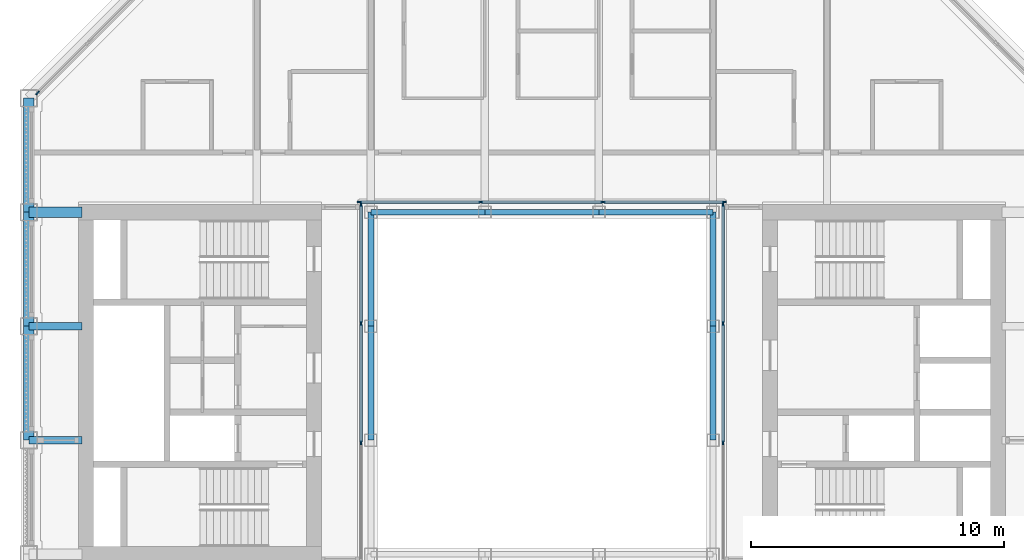
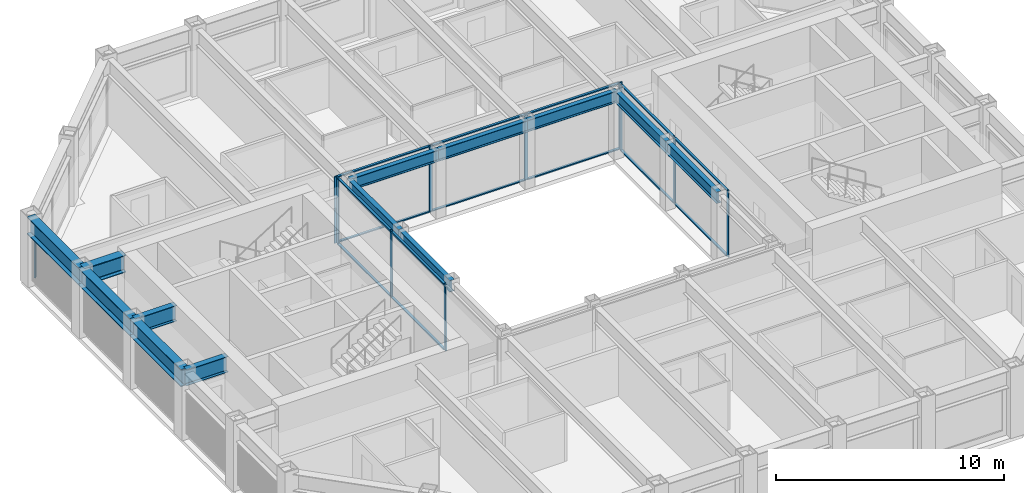
# One storey, part 4 of 17: 25 members, 13 beams, 4 elements without a shape of their own.
"""IFC4 building model written with IfcOpenShell, lengths in metres."""

from ifc_helpers import new_model, si_unit, direction, frame, origin, origin_2d, place, context, subcontext, project, spatial, rectangle, i_section, extrude, material, material_profile, profile_set, type_object, element, aggregate, save


model = new_model("IFC4")

# Units and contexts
model_context = context("Model", 3, precision=1e-05, world=origin(), true_north=direction((0.0, 1.0)))
body_context = subcontext(model_context, "Body", "Model", "MODEL_VIEW")
ifc_project = project(units=[si_unit("LENGTHUNIT", "METRE"), si_unit("AREAUNIT", "SQUARE_METRE"), si_unit("VOLUMEUNIT", "CUBIC_METRE"), si_unit("PLANEANGLEUNIT", "RADIAN"), si_unit("MASSUNIT", "GRAM", prefix="KILO")], contexts=[model_context])

# Site, building, storey
site_placement = place(None, origin())
site = spatial("IfcSite", under=ifc_project, at=site_placement, CompositionType="ELEMENT")
building_placement = place(site_placement, origin())
building = spatial("IfcBuilding", under=site, at=building_placement, Name="Msasa Ring Tower", CompositionType="ELEMENT")
storey_placement = place(building_placement, frame((0.0, 0.0, 234.550048828125)))
storey = spatial("IfcBuildingStorey", under=building, at=storey_placement, Name="L61", CompositionType="ELEMENT", Elevation=234.550048828125)

# Curtain wall, member
ifc_material_1 = material(Name="Aluminium curtain wall with clear glass", Category="aluminium")
curtain_wall_type_1 = type_object("IfcCurtainWallType", Name="CW-C CHAMFER CORNER CURTAIN WALL", PredefinedType="NOTDEFINED", material=ifc_material_1)
curtain_wall_1_placement = place(storey_placement, origin())
curtain_wall_1 = element("IfcCurtainWall", 1, at=curtain_wall_1_placement, inside=storey, type_object=curtain_wall_type_1, Name="Chamfer corner curtain wall NW L61", PredefinedType="NOTDEFINED")
ifc_material_2 = material(Name="Aluminium mullion", Category="aluminium")
ifc_material_profile_1 = material_profile(ifc_material_2, rectangle(XDim=0.06494140625, YDim=0.179931640625, at=origin_2d()), Name="AL 65x180")
ifc_profile_set_1 = profile_set([ifc_material_profile_1], Name="Aluminium mullion")
member_type_1 = type_object("IfcMemberType", Name="CW-C MULLION 65x180", PredefinedType="MULLION", material=ifc_profile_set_1)
member_1_placement = place(storey_placement, frame((-19.9052734375, 11.453369140625, 0.0), z_axis=(0.0, 0.0, 1.0), x_axis=(0.707106781187, -0.707106781187, 0.0)))
member_1 = element("IfcMember", 2, at=member_1_placement, type_object=member_type_1, Name="CW-C mullion 3", PredefinedType="MULLION", context=body_context, shape_type="SweptSolid", body=[
    extrude(rectangle(XDim=0.06494140625, YDim=0.179931640625, at=origin_2d()), origin(), (0.0, 0.0, 1.0), 2.62890625),
])
aggregate(curtain_wall_1, [member_1])

# Curtain wall, members
ifc_material_3 = material(Name="Aluminium curtain wall with clear glass", Category="aluminium")
curtain_wall_type_2 = type_object("IfcCurtainWallType", Name="CW-W LIGHT WELL CURTAIN WALL", PredefinedType="NOTDEFINED", material=ifc_material_3)
curtain_wall_2_placement = place(storey_placement, origin())
curtain_wall_2 = element("IfcCurtainWall", 3, at=curtain_wall_2_placement, inside=storey, type_object=curtain_wall_type_2, Name="Light well curtain wall N L61", PredefinedType="NOTDEFINED")
ifc_material_4 = material(Name="Aluminium mullion", Category="aluminium")
ifc_material_profile_2 = material_profile(ifc_material_4, rectangle(XDim=0.06005859375, YDim=0.159912109375, at=origin_2d()), Name="AL 60x160")
ifc_profile_set_2 = profile_set([ifc_material_profile_2], Name="Aluminium mullion")
member_type_2 = type_object("IfcMemberType", Name="CW-W MULLION 60x160", PredefinedType="MULLION", material=ifc_profile_set_2)
member_2_placement = place(storey_placement, frame((-7.199951171875, 7.14990234375, 0.0), z_axis=(0.0, 0.0, 1.0), x_axis=(0.0, 1.0, 0.0)))
member_2 = element("IfcMember", 4, at=member_2_placement, type_object=member_type_2, Name="CW-W mullion 1", PredefinedType="MULLION", context=body_context, shape_type="SweptSolid", body=[
    extrude(rectangle(XDim=0.06005859375, YDim=0.159912109375, at=origin_2d()), origin(), (0.0, 0.0, 1.0), 3.550048828125),
])
member_3_placement = place(storey_placement, frame((-2.409912109375, 7.14990234375, 0.0), z_axis=(0.0, 0.0, 1.0), x_axis=(0.0, 1.0, 0.0)))
member_3 = element("IfcMember", 5, at=member_3_placement, type_object=member_type_2, Name="CW-W mullion 2", PredefinedType="MULLION", context=body_context, shape_type="SweptSolid", body=[
    extrude(rectangle(XDim=0.06005859375, YDim=0.159912109375, at=origin_2d()), origin(), (0.0, 0.0, 1.0), 3.550048828125),
])
member_4_placement = place(storey_placement, frame((2.409912109375, 7.14990234375, 0.0), z_axis=(0.0, 0.0, 1.0), x_axis=(0.0, 1.0, 0.0)))
member_4 = element("IfcMember", 6, at=member_4_placement, type_object=member_type_2, Name="CW-W mullion 3", PredefinedType="MULLION", context=body_context, shape_type="SweptSolid", body=[
    extrude(rectangle(XDim=0.06005859375, YDim=0.159912109375, at=origin_2d()), origin(), (0.0, 0.0, 1.0), 3.550048828125),
])
member_5_placement = place(storey_placement, frame((7.199951171875, 7.14990234375, 0.0), z_axis=(0.0, 0.0, 1.0), x_axis=(0.0, 1.0, 0.0)))
member_5 = element("IfcMember", 7, at=member_5_placement, type_object=member_type_2, Name="CW-W mullion 4", PredefinedType="MULLION", context=body_context, shape_type="SweptSolid", body=[
    extrude(rectangle(XDim=0.06005859375, YDim=0.159912109375, at=origin_2d()), origin(), (0.0, 0.0, 1.0), 3.550048828125),
])

curtain_wall_3_placement = place(storey_placement, origin())
curtain_wall_3 = element("IfcCurtainWall", 8, at=curtain_wall_3_placement, inside=storey, type_object=curtain_wall_type_2, Name="Light well curtain wall E L61", PredefinedType="NOTDEFINED")
member_6_placement = place(storey_placement, frame((7.14990234375, -2.356689453125, 0.0), z_axis=(0.0, 0.0, 1.0), x_axis=(-1.0, 0.0, 0.0)))
member_6 = element("IfcMember", 9, at=member_6_placement, type_object=member_type_2, Name="CW-W mullion 2", PredefinedType="MULLION", context=body_context, shape_type="SweptSolid", body=[
    extrude(rectangle(XDim=0.06005859375, YDim=0.159912109375, at=origin_2d()), origin(), (0.0, 0.0, 1.0), 3.550048828125),
])
member_7_placement = place(storey_placement, frame((7.14990234375, 2.356689453125, 0.0), z_axis=(0.0, 0.0, 1.0), x_axis=(-1.0, 0.0, 0.0)))
member_7 = element("IfcMember", 10, at=member_7_placement, type_object=member_type_2, Name="CW-W mullion 3", PredefinedType="MULLION", context=body_context, shape_type="SweptSolid", body=[
    extrude(rectangle(XDim=0.06005859375, YDim=0.159912109375, at=origin_2d()), origin(), (0.0, 0.0, 1.0), 3.550048828125),
])
member_8_placement = place(storey_placement, frame((7.14990234375, 7.0400390625, 0.0), z_axis=(0.0, 0.0, 1.0), x_axis=(-1.0, 0.0, 0.0)))
member_8 = element("IfcMember", 11, at=member_8_placement, type_object=member_type_2, Name="CW-W mullion 4", PredefinedType="MULLION", context=body_context, shape_type="SweptSolid", body=[
    extrude(rectangle(XDim=0.06005859375, YDim=0.159912109375, at=origin_2d()), origin(), (0.0, 0.0, 1.0), 3.550048828125),
])

curtain_wall_4_placement = place(storey_placement, origin())
curtain_wall_4 = element("IfcCurtainWall", 12, at=curtain_wall_4_placement, inside=storey, type_object=curtain_wall_type_2, Name="Light well curtain wall W L61", PredefinedType="NOTDEFINED")
member_9_placement = place(storey_placement, frame((-7.14990234375, -2.356689453125, 0.0), z_axis=(0.0, 0.0, 1.0), x_axis=(-1.0, 0.0, 0.0)))
member_9 = element("IfcMember", 13, at=member_9_placement, type_object=member_type_2, Name="CW-W mullion 2", PredefinedType="MULLION", context=body_context, shape_type="SweptSolid", body=[
    extrude(rectangle(XDim=0.06005859375, YDim=0.159912109375, at=origin_2d()), origin(), (0.0, 0.0, 1.0), 3.550048828125),
])
member_10_placement = place(storey_placement, frame((-7.14990234375, 2.356689453125, 0.0), z_axis=(0.0, 0.0, 1.0), x_axis=(-1.0, 0.0, 0.0)))
member_10 = element("IfcMember", 14, at=member_10_placement, type_object=member_type_2, Name="CW-W mullion 3", PredefinedType="MULLION", context=body_context, shape_type="SweptSolid", body=[
    extrude(rectangle(XDim=0.06005859375, YDim=0.159912109375, at=origin_2d()), origin(), (0.0, 0.0, 1.0), 3.550048828125),
])
member_11_placement = place(storey_placement, frame((-7.14990234375, 7.0400390625, 0.0), z_axis=(0.0, 0.0, 1.0), x_axis=(-1.0, 0.0, 0.0)))
member_11 = element("IfcMember", 15, at=member_11_placement, type_object=member_type_2, Name="CW-W mullion 4", PredefinedType="MULLION", context=body_context, shape_type="SweptSolid", body=[
    extrude(rectangle(XDim=0.06005859375, YDim=0.159912109375, at=origin_2d()), origin(), (0.0, 0.0, 1.0), 3.550048828125),
])

# Member
ifc_material_5 = material(Name="Aluminium transom", Category="aluminium")
ifc_material_profile_3 = material_profile(ifc_material_5, rectangle(XDim=0.1201171875, YDim=0.06005859375, at=origin_2d()), Name="AL 60x120")
ifc_profile_set_3 = profile_set([ifc_material_profile_3], Name="Aluminium transom")
member_type_3 = type_object("IfcMemberType", Name="CW-W TRANSOM 60x120", PredefinedType="USERDEFINED", material=ifc_profile_set_3)
member_12_placement = place(storey_placement, frame((-7.169921875, 7.14990234375, 0.030029296875), z_axis=(1.0, 0.0, 0.0), x_axis=(0.0, 1.0, 0.0)))
member_12 = element("IfcMember", 16, at=member_12_placement, type_object=member_type_3, Name="CW-W transom 1.1", ObjectType="TRANSOM", PredefinedType="USERDEFINED", context=body_context, shape_type="SweptSolid", body=[
    extrude(rectangle(XDim=0.1201171875, YDim=0.06005859375, at=origin_2d()), origin(), (0.0, 0.0, 1.0), 4.72998046875),
])

member_13_placement = place(storey_placement, frame((-7.169921875, 7.14990234375, 3.52001953125), z_axis=(1.0, 0.0, 0.0), x_axis=(0.0, 1.0, 0.0)))
member_13 = element("IfcMember", 17, at=member_13_placement, type_object=member_type_3, Name="CW-W transom 1.2", ObjectType="TRANSOM", PredefinedType="USERDEFINED", context=body_context, shape_type="SweptSolid", body=[
    extrude(rectangle(XDim=0.1201171875, YDim=0.06005859375, at=origin_2d()), origin(), (0.0, 0.0, 1.0), 4.72998046875),
])

member_14_placement = place(storey_placement, frame((-2.3798828125, 7.14990234375, 0.030029296875), z_axis=(1.0, 0.0, 0.0), x_axis=(0.0, 1.0, 0.0)))
member_14 = element("IfcMember", 18, at=member_14_placement, type_object=member_type_3, Name="CW-W transom 2.1", ObjectType="TRANSOM", PredefinedType="USERDEFINED", context=body_context, shape_type="SweptSolid", body=[
    extrude(rectangle(XDim=0.1201171875, YDim=0.06005859375, at=origin_2d()), origin(), (0.0, 0.0, 1.0), 4.759765625),
])

member_15_placement = place(storey_placement, frame((-2.3798828125, 7.14990234375, 3.52001953125), z_axis=(1.0, 0.0, 0.0), x_axis=(0.0, 1.0, 0.0)))
member_15 = element("IfcMember", 19, at=member_15_placement, type_object=member_type_3, Name="CW-W transom 2.2", ObjectType="TRANSOM", PredefinedType="USERDEFINED", context=body_context, shape_type="SweptSolid", body=[
    extrude(rectangle(XDim=0.1201171875, YDim=0.06005859375, at=origin_2d()), origin(), (0.0, 0.0, 1.0), 4.759765625),
])

member_16_placement = place(storey_placement, frame((2.43994140625, 7.14990234375, 0.030029296875), z_axis=(1.0, 0.0, 0.0), x_axis=(0.0, 1.0, 0.0)))
member_16 = element("IfcMember", 20, at=member_16_placement, type_object=member_type_3, Name="CW-W transom 3.1", ObjectType="TRANSOM", PredefinedType="USERDEFINED", context=body_context, shape_type="SweptSolid", body=[
    extrude(rectangle(XDim=0.1201171875, YDim=0.06005859375, at=origin_2d()), origin(), (0.0, 0.0, 1.0), 4.72998046875),
])

member_17_placement = place(storey_placement, frame((2.43994140625, 7.14990234375, 3.52001953125), z_axis=(1.0, 0.0, 0.0), x_axis=(0.0, 1.0, 0.0)))
member_17 = element("IfcMember", 21, at=member_17_placement, type_object=member_type_3, Name="CW-W transom 3.2", ObjectType="TRANSOM", PredefinedType="USERDEFINED", context=body_context, shape_type="SweptSolid", body=[
    extrude(rectangle(XDim=0.1201171875, YDim=0.06005859375, at=origin_2d()), origin(), (0.0, 0.0, 1.0), 4.72998046875),
])

aggregate(curtain_wall_2, [member_2, member_3, member_4, member_5, member_12, member_13, member_14, member_15, member_16, member_17])

member_18_placement = place(storey_placement, frame((7.14990234375, -2.32666015625, 0.030029296875), z_axis=(0.0, 1.0, 0.0), x_axis=(-1.0, 0.0, 0.0)))
member_18 = element("IfcMember", 22, at=member_18_placement, type_object=member_type_3, Name="CW-W transom 2.1", ObjectType="TRANSOM", PredefinedType="USERDEFINED", context=body_context, shape_type="SweptSolid", body=[
    extrude(rectangle(XDim=0.1201171875, YDim=0.06005859375, at=origin_2d()), origin(), (0.0, 0.0, 1.0), 4.6533203125),
])

member_19_placement = place(storey_placement, frame((7.14990234375, -2.32666015625, 3.52001953125), z_axis=(0.0, 1.0, 0.0), x_axis=(-1.0, 0.0, 0.0)))
member_19 = element("IfcMember", 23, at=member_19_placement, type_object=member_type_3, Name="CW-W transom 2.2", ObjectType="TRANSOM", PredefinedType="USERDEFINED", context=body_context, shape_type="SweptSolid", body=[
    extrude(rectangle(XDim=0.1201171875, YDim=0.06005859375, at=origin_2d()), origin(), (0.0, 0.0, 1.0), 4.6533203125),
])

member_20_placement = place(storey_placement, frame((7.14990234375, 2.38671875, 0.030029296875), z_axis=(0.0, 1.0, 0.0), x_axis=(-1.0, 0.0, 0.0)))
member_20 = element("IfcMember", 24, at=member_20_placement, type_object=member_type_3, Name="CW-W transom 3.1", ObjectType="TRANSOM", PredefinedType="USERDEFINED", context=body_context, shape_type="SweptSolid", body=[
    extrude(rectangle(XDim=0.1201171875, YDim=0.06005859375, at=origin_2d()), origin(), (0.0, 0.0, 1.0), 4.623291015625),
])

member_21_placement = place(storey_placement, frame((7.14990234375, 2.38671875, 3.52001953125), z_axis=(0.0, 1.0, 0.0), x_axis=(-1.0, 0.0, 0.0)))
member_21 = element("IfcMember", 25, at=member_21_placement, type_object=member_type_3, Name="CW-W transom 3.2", ObjectType="TRANSOM", PredefinedType="USERDEFINED", context=body_context, shape_type="SweptSolid", body=[
    extrude(rectangle(XDim=0.1201171875, YDim=0.06005859375, at=origin_2d()), origin(), (0.0, 0.0, 1.0), 4.623291015625),
])

aggregate(curtain_wall_3, [member_6, member_7, member_8, member_18, member_19, member_20, member_21])

member_22_placement = place(storey_placement, frame((-7.14990234375, -2.32666015625, 0.030029296875), z_axis=(0.0, 1.0, 0.0), x_axis=(-1.0, 0.0, 0.0)))
member_22 = element("IfcMember", 26, at=member_22_placement, type_object=member_type_3, Name="CW-W transom 2.1", ObjectType="TRANSOM", PredefinedType="USERDEFINED", context=body_context, shape_type="SweptSolid", body=[
    extrude(rectangle(XDim=0.1201171875, YDim=0.06005859375, at=origin_2d()), origin(), (0.0, 0.0, 1.0), 4.6533203125),
])

member_23_placement = place(storey_placement, frame((-7.14990234375, -2.32666015625, 3.52001953125), z_axis=(0.0, 1.0, 0.0), x_axis=(-1.0, 0.0, 0.0)))
member_23 = element("IfcMember", 27, at=member_23_placement, type_object=member_type_3, Name="CW-W transom 2.2", ObjectType="TRANSOM", PredefinedType="USERDEFINED", context=body_context, shape_type="SweptSolid", body=[
    extrude(rectangle(XDim=0.1201171875, YDim=0.06005859375, at=origin_2d()), origin(), (0.0, 0.0, 1.0), 4.6533203125),
])

member_24_placement = place(storey_placement, frame((-7.14990234375, 2.38671875, 0.030029296875), z_axis=(0.0, 1.0, 0.0), x_axis=(-1.0, 0.0, 0.0)))
member_24 = element("IfcMember", 28, at=member_24_placement, type_object=member_type_3, Name="CW-W transom 3.1", ObjectType="TRANSOM", PredefinedType="USERDEFINED", context=body_context, shape_type="SweptSolid", body=[
    extrude(rectangle(XDim=0.1201171875, YDim=0.06005859375, at=origin_2d()), origin(), (0.0, 0.0, 1.0), 4.623291015625),
])

member_25_placement = place(storey_placement, frame((-7.14990234375, 2.38671875, 3.52001953125), z_axis=(0.0, 1.0, 0.0), x_axis=(-1.0, 0.0, 0.0)))
member_25 = element("IfcMember", 29, at=member_25_placement, type_object=member_type_3, Name="CW-W transom 3.2", ObjectType="TRANSOM", PredefinedType="USERDEFINED", context=body_context, shape_type="SweptSolid", body=[
    extrude(rectangle(XDim=0.1201171875, YDim=0.06005859375, at=origin_2d()), origin(), (0.0, 0.0, 1.0), 4.623291015625),
])

aggregate(curtain_wall_4, [member_9, member_10, member_11, member_22, member_23, member_24, member_25])

# Beams
ifc_material_6 = material(Name="Steel S355", Category="steel")
ifc_material_profile_4 = material_profile(ifc_material_6, i_section(OverallWidth=0.293701171875, OverallDepth=0.850830078125, WebThickness=0.01611328125, FlangeThickness=0.02685546875, FilletRadius=0.017822265625, at=origin_2d()), Name="UB 838x292x226")
ifc_profile_set_4 = profile_set([ifc_material_profile_4], Name="Steel S355")
beam_type_1 = type_object("IfcBeamType", Name="FB5 UB 838x292x226", PredefinedType="BEAM", material=ifc_profile_set_4)
for number, where, z_axis, x_axis, name in (
    (30, (-20.25, -2.25, 3.12451171875), (1.0, 0.0, 0.0), (0.0, 1.0, 0.0), "Floor beam W -2.25 under L62"),
    (31, (-20.25, 2.25, 3.12451171875), (1.0, 0.0, 0.0), (0.0, 1.0, 0.0), "Floor beam W +2.25 under L62"),
):
    element("IfcBeam", number, at=place(storey_placement, frame(where, z_axis=z_axis, x_axis=x_axis)), inside=storey, type_object=beam_type_1, Name=name, PredefinedType="BEAM", context=body_context, shape_type="SweptSolid", body=[
        extrude(i_section(OverallWidth=0.293701171875, OverallDepth=0.850830078125, WebThickness=0.01611328125, FlangeThickness=0.02685546875, FilletRadius=0.017822265625, at=origin_2d()), origin(), (0.0, 0.0, 1.0), 2.10009765625),
    ])
ifc_material_7 = material(Name="Steel S355", Category="steel")
ifc_material_profile_5 = material_profile(ifc_material_7, i_section(OverallWidth=0.42041015625, OverallDepth=0.9208984375, WebThickness=0.021484375, FlangeThickness=0.03662109375, FilletRadius=0.024169921875, at=origin_2d()), Name="UB 914x419x388")
ifc_profile_set_5 = profile_set([ifc_material_profile_5], Name="Steel S355")
beam_type_2 = type_object("IfcBeamType", Name="GB1 UB 914x419x388", PredefinedType="BEAM", material=ifc_profile_set_5)
beam_placement = place(storey_placement, frame((-18.14990234375, 6.75, 3.08935546875), z_axis=(-1.0, 0.0, 0.0), x_axis=(0.0, -1.0, 0.0)))
element("IfcBeam", 32, at=beam_placement, inside=storey, type_object=beam_type_2, Name="Girder W +6.75 under L62", PredefinedType="BEAM", context=body_context, shape_type="SweptSolid", body=[
    extrude(i_section(OverallWidth=0.42041015625, OverallDepth=0.9208984375, WebThickness=0.021484375, FlangeThickness=0.03662109375, FilletRadius=0.024169921875, at=origin_2d()), origin(), (0.0, 0.0, 1.0), 2.10009765625),
])
ifc_material_8 = material(Name="Steel S355", Category="steel")
ifc_material_profile_6 = material_profile(ifc_material_8, i_section(OverallWidth=0.230224609375, OverallDepth=0.6171875, WebThickness=0.01318359375, FlangeThickness=0.022216796875, FilletRadius=0.0126953125, at=origin_2d()), Name="UB 610x229x140")
ifc_profile_set_6 = profile_set([ifc_material_profile_6], Name="Steel S355")
beam_type_3 = type_object("IfcBeamType", Name="RB1 UB 610x229x140", PredefinedType="BEAM", material=ifc_profile_set_6)
for number, where, z_axis, x_axis, name in (
    (33, (6.75, -2.25, 3.241455078125), (0.0, 1.0, 0.0), (-1.0, 0.0, 0.0), "Inner ring beam IR+6.75-2.25 under L62"),
    (34, (6.75, 2.25, 3.241455078125), (0.0, 1.0, 0.0), (-1.0, 0.0, 0.0), "Inner ring beam IR+6.75+2.25 under L62"),
    (35, (6.75, 6.75, 3.241455078125), (-1.0, 0.0, 0.0), (0.0, -1.0, 0.0), "Inner ring beam IR+6.75+6.75 under L62"),
    (36, (2.25, 6.75, 3.241455078125), (-1.0, 0.0, 0.0), (0.0, -1.0, 0.0), "Inner ring beam IR+2.25+6.75 under L62"),
    (37, (-2.25, 6.75, 3.241455078125), (-1.0, 0.0, 0.0), (0.0, -1.0, 0.0), "Inner ring beam IR-2.25+6.75 under L62"),
    (38, (-6.75, 6.75, 3.241455078125), (0.0, -1.0, 0.0), (1.0, 0.0, 0.0), "Inner ring beam IR-6.75+6.75 under L62"),
    (39, (-6.75, 2.25, 3.241455078125), (0.0, -1.0, 0.0), (1.0, 0.0, 0.0), "Inner ring beam IR-6.75+2.25 under L62"),
):
    element("IfcBeam", number, at=place(storey_placement, frame(where, z_axis=z_axis, x_axis=x_axis)), inside=storey, type_object=beam_type_3, Name=name, PredefinedType="BEAM", context=body_context, shape_type="SweptSolid", body=[
        extrude(i_section(OverallWidth=0.230224609375, OverallDepth=0.6171875, WebThickness=0.01318359375, FlangeThickness=0.022216796875, FilletRadius=0.0126953125, at=origin_2d()), origin(), (0.0, 0.0, 1.0), 4.5),
    ])
ifc_material_9 = material(Name="Steel S355", Category="steel")
ifc_material_profile_7 = material_profile(ifc_material_9, i_section(OverallWidth=0.42041015625, OverallDepth=0.9208984375, WebThickness=0.021484375, FlangeThickness=0.03662109375, FilletRadius=0.024169921875, at=origin_2d()), Name="UB 914x419x388")
ifc_profile_set_7 = profile_set([ifc_material_profile_7], Name="Steel S355")
beam_type_4 = type_object("IfcBeamType", Name="SB1 UB 914x419x388", PredefinedType="SPANDREL", material=ifc_profile_set_7)
for number, where, z_axis, x_axis, name in (
    (40, (-20.25, 11.25, 3.08935546875), (0.0, -1.0, 0.0), (1.0, 0.0, 0.0), "Spandrel W+11.25 to W+6.75 under L62"),
    (41, (-20.25, 6.75, 3.08935546875), (0.0, -1.0, 0.0), (1.0, 0.0, 0.0), "Spandrel W+6.75 to W+2.25 under L62"),
    (42, (-20.25, 2.25, 3.08935546875), (0.0, -1.0, 0.0), (1.0, 0.0, 0.0), "Spandrel W+2.25 to W-2.25 under L62"),
):
    element("IfcBeam", number, at=place(storey_placement, frame(where, z_axis=z_axis, x_axis=x_axis)), inside=storey, type_object=beam_type_4, Name=name, PredefinedType="SPANDREL", context=body_context, shape_type="SweptSolid", body=[
        extrude(i_section(OverallWidth=0.42041015625, OverallDepth=0.9208984375, WebThickness=0.021484375, FlangeThickness=0.03662109375, FilletRadius=0.024169921875, at=origin_2d()), origin(), (0.0, 0.0, 1.0), 4.5),
    ])

save(model, "model.ifc")
